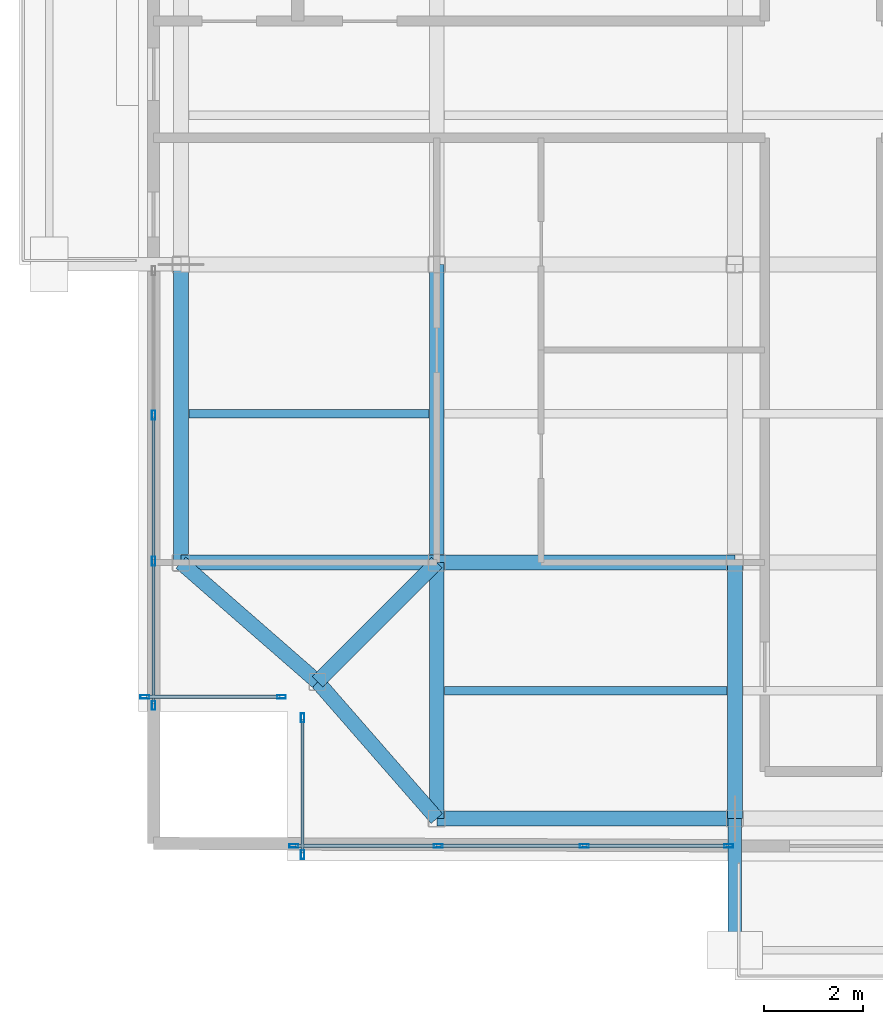
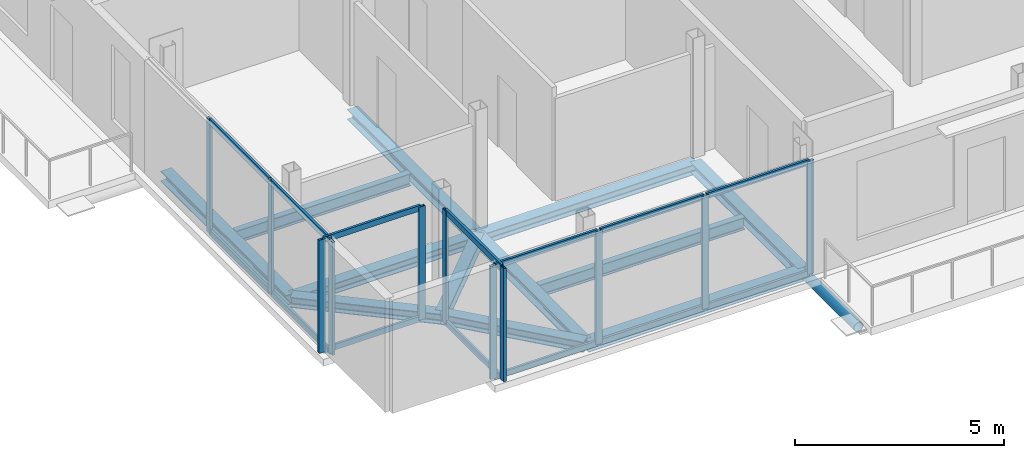
# One storey, part 2 of 19: 26 members, 12 beams, 4 elements without a shape of their own.
"""IFC4 building model written with IfcOpenShell, lengths in metres."""

from ifc_helpers import new_model, si_unit, direction, frame, origin, origin_2d, place, context, subcontext, project, spatial, hollow_rectangle, hollow_circle, i_section, extrude, material, layer, layer_set, material_profile, profile_set, type_object, element, aggregate, save


model = new_model("IFC4")

# Units and contexts
model_context = context("Model", 3, precision=1e-05, world=origin(), true_north=direction((0.0, 1.0)))
body_context = subcontext(model_context, "Body", "Model", "MODEL_VIEW")
ifc_project = project(units=[si_unit("LENGTHUNIT", "METRE"), si_unit("AREAUNIT", "SQUARE_METRE"), si_unit("VOLUMEUNIT", "CUBIC_METRE"), si_unit("PLANEANGLEUNIT", "RADIAN"), si_unit("MASSUNIT", "GRAM", prefix="KILO"), si_unit("THERMODYNAMICTEMPERATUREUNIT", "KELVIN"), si_unit("POWERUNIT", "WATT")], contexts=[model_context])

# Site, building, storey
site_placement = place(None, origin())
site = spatial("IfcSite", under=ifc_project, at=site_placement, CompositionType="ELEMENT")
building_placement = place(site_placement, origin())
building = spatial("IfcBuilding", under=site, at=building_placement, Name="Svarakhadi Broadcast Tower", CompositionType="ELEMENT")
storey_placement = place(building_placement, frame((0.0, 0.0, 239.699951171875)))
storey = spatial("IfcBuildingStorey", under=building, at=storey_placement, Name="L59", CompositionType="ELEMENT", Elevation=239.699951171875)

# Beams
ifc_material_1 = material(Name="Steel S355J2 (IS 2062 E350C)", Category="steel")
ifc_material_profile_1 = material_profile(ifc_material_1, i_section(OverallWidth=0.169921875, OverallDepth=0.360107421875, WebThickness=0.008056640625, FlangeThickness=0.0126953125, FilletRadius=0.01806640625, at=origin_2d()), Name="NPB 360x170x57")
ifc_profile_set_1 = profile_set([ifc_material_profile_1], Name="Steel S355J2 (IS 2062 E350C)")
beam_type_1 = type_object("IfcBeamType", Name="Beam_NPB360", PredefinedType="BEAM", material=ifc_profile_set_1)
beam_1_placement = place(storey_placement, frame((1.010009765625, 9.0, -0.3798828125), z_axis=(1.0, 0.0, 0.0), x_axis=(0.0, 1.0, 0.0)))
element("IfcBeam", 1, at=beam_1_placement, inside=storey, type_object=beam_type_1, Name="L59 Secondary Composite Beam SB001", PredefinedType="BEAM", context=body_context, shape_type="SweptSolid", body=[
    extrude(i_section(OverallWidth=0.169921875, OverallDepth=0.360107421875, WebThickness=0.008056640625, FlangeThickness=0.0126953125, FilletRadius=0.01806640625, at=origin_2d()), origin(), (0.0, 0.0, 1.0), 4.830078125),
])
beam_2_placement = place(storey_placement, frame((6.159912109375, 3.425048828125, -0.3798828125), z_axis=(1.0, 0.0, 0.0), x_axis=(0.0, 1.0, 0.0)))
element("IfcBeam", 2, at=beam_2_placement, inside=storey, type_object=beam_type_1, Name="L59 Secondary Composite Beam SB005", PredefinedType="BEAM", context=body_context, shape_type="SweptSolid", body=[
    extrude(i_section(OverallWidth=0.169921875, OverallDepth=0.360107421875, WebThickness=0.008056640625, FlangeThickness=0.0126953125, FilletRadius=0.01806640625, at=origin_2d()), origin(), (0.0, 0.0, 1.0), 5.68017578125),
])

# Curtain wall, members
ifc_material_2 = material(Name="Anodised Bronze Aluminium AA 6063-T6", Category="aluminium")
ifc_layer = layer(ifc_material_2, 0.179931640625)
ifc_layer_set = layer_set([ifc_layer], Name="Anodised Bronze Aluminium AA 6063-T6")
curtain_wall_type = type_object("IfcCurtainWallType", Name="CW_Sys_05", PredefinedType="NOTDEFINED", material=ifc_layer_set)
curtain_wall_1_placement = place(storey_placement, origin())
curtain_wall_1 = element("IfcCurtainWall", 3, at=curtain_wall_1_placement, inside=storey, type_object=curtain_wall_type, Name="L59 Unitised Facade Curtain Wall 01", PredefinedType="NOTDEFINED")
ifc_material_profile_2 = material_profile(ifc_material_2, hollow_rectangle(XDim=0.070068359375, YDim=0.179931640625, WallThickness=0.005615234375, at=origin_2d()), Name="ALU MULLION 180x70x6")
ifc_profile_set_2 = profile_set([ifc_material_profile_2], Name="Anodised Bronze Aluminium AA 6063-T6")
member_type_1 = type_object("IfcMemberType", Name="CW_Sys_05_Mul", PredefinedType="MULLION", material=ifc_profile_set_2)
member_1_placement = place(storey_placement, frame((2.875, 3.300048828125, 0.0), z_axis=(0.0, 0.0, 1.0), x_axis=(0.0, -1.0, 0.0)))
member_1 = element("IfcMember", 4, at=member_1_placement, type_object=member_type_1, Name="CW-05 mullion 1", PredefinedType="MULLION", context=body_context, shape_type="SweptSolid", body=[
    extrude(hollow_rectangle(XDim=0.070068359375, YDim=0.179931640625, WallThickness=0.005615234375, at=origin_2d()), origin(), (0.0, 0.0, 1.0), 3.300048828125),
])
member_2_placement = place(storey_placement, frame((0.125, 3.300048828125, 0.0), z_axis=(0.0, 0.0, 1.0), x_axis=(0.0, -1.0, 0.0)))
member_2 = element("IfcMember", 5, at=member_2_placement, type_object=member_type_1, Name="CW-05 mullion 2", PredefinedType="MULLION", context=body_context, shape_type="SweptSolid", body=[
    extrude(hollow_rectangle(XDim=0.070068359375, YDim=0.179931640625, WallThickness=0.005615234375, at=origin_2d()), origin(), (0.0, 0.0, 1.0), 3.300048828125),
])

curtain_wall_2_placement = place(storey_placement, origin())
curtain_wall_2 = element("IfcCurtainWall", 6, at=curtain_wall_2_placement, inside=storey, type_object=curtain_wall_type, Name="L59 West Curtain Wall 02", PredefinedType="NOTDEFINED")
member_3_placement = place(storey_placement, frame((0.300048828125, 3.125, 0.0), z_axis=(0.0, 0.0, 1.0), x_axis=(-1.0, 0.0, 0.0)))
member_3 = element("IfcMember", 7, at=member_3_placement, type_object=member_type_1, Name="CW-05 mullion 1", PredefinedType="MULLION", context=body_context, shape_type="SweptSolid", body=[
    extrude(hollow_rectangle(XDim=0.070068359375, YDim=0.179931640625, WallThickness=0.005615234375, at=origin_2d()), origin(), (0.0, 0.0, 1.0), 3.300048828125),
])
member_4_placement = place(storey_placement, frame((0.300048828125, 6.030029296875, 0.0), z_axis=(0.0, 0.0, 1.0), x_axis=(-1.0, 0.0, 0.0)))
member_4 = element("IfcMember", 8, at=member_4_placement, type_object=member_type_1, Name="CW-05 mullion 2", PredefinedType="MULLION", context=body_context, shape_type="SweptSolid", body=[
    extrude(hollow_rectangle(XDim=0.070068359375, YDim=0.179931640625, WallThickness=0.005615234375, at=origin_2d()), origin(), (0.0, 0.0, 1.0), 3.300048828125),
])
member_5_placement = place(storey_placement, frame((0.300048828125, 8.969970703125, 0.0), z_axis=(0.0, 0.0, 1.0), x_axis=(-1.0, 0.0, 0.0)))
member_5 = element("IfcMember", 9, at=member_5_placement, type_object=member_type_1, Name="CW-05 mullion 3", PredefinedType="MULLION", context=body_context, shape_type="SweptSolid", body=[
    extrude(hollow_rectangle(XDim=0.070068359375, YDim=0.179931640625, WallThickness=0.005615234375, at=origin_2d()), origin(), (0.0, 0.0, 1.0), 3.300048828125),
])

curtain_wall_3_placement = place(storey_placement, origin())
curtain_wall_3 = element("IfcCurtainWall", 10, at=curtain_wall_3_placement, inside=storey, type_object=curtain_wall_type, Name="L59 South Curtain Wall 15", PredefinedType="NOTDEFINED")
member_6_placement = place(storey_placement, frame((11.875, 0.300048828125, 0.0), z_axis=(0.0, 0.0, 1.0), x_axis=(0.0, -1.0, 0.0)))
member_6 = element("IfcMember", 11, at=member_6_placement, type_object=member_type_1, Name="CW-05 mullion 1", PredefinedType="MULLION", context=body_context, shape_type="SweptSolid", body=[
    extrude(hollow_rectangle(XDim=0.070068359375, YDim=0.179931640625, WallThickness=0.005615234375, at=origin_2d()), origin(), (0.0, 0.0, 1.0), 3.300048828125),
])
member_7_placement = place(storey_placement, frame((8.969970703125, 0.300048828125, 0.0), z_axis=(0.0, 0.0, 1.0), x_axis=(0.0, -1.0, 0.0)))
member_7 = element("IfcMember", 12, at=member_7_placement, type_object=member_type_1, Name="CW-05 mullion 2", PredefinedType="MULLION", context=body_context, shape_type="SweptSolid", body=[
    extrude(hollow_rectangle(XDim=0.070068359375, YDim=0.179931640625, WallThickness=0.005615234375, at=origin_2d()), origin(), (0.0, 0.0, 1.0), 3.300048828125),
])
member_8_placement = place(storey_placement, frame((6.030029296875, 0.300048828125, 0.0), z_axis=(0.0, 0.0, 1.0), x_axis=(0.0, -1.0, 0.0)))
member_8 = element("IfcMember", 13, at=member_8_placement, type_object=member_type_1, Name="CW-05 mullion 3", PredefinedType="MULLION", context=body_context, shape_type="SweptSolid", body=[
    extrude(hollow_rectangle(XDim=0.070068359375, YDim=0.179931640625, WallThickness=0.005615234375, at=origin_2d()), origin(), (0.0, 0.0, 1.0), 3.300048828125),
])
member_9_placement = place(storey_placement, frame((3.125, 0.300048828125, 0.0), z_axis=(0.0, 0.0, 1.0), x_axis=(0.0, -1.0, 0.0)))
member_9 = element("IfcMember", 14, at=member_9_placement, type_object=member_type_1, Name="CW-05 mullion 4", PredefinedType="MULLION", context=body_context, shape_type="SweptSolid", body=[
    extrude(hollow_rectangle(XDim=0.070068359375, YDim=0.179931640625, WallThickness=0.005615234375, at=origin_2d()), origin(), (0.0, 0.0, 1.0), 3.300048828125),
])

curtain_wall_4_placement = place(storey_placement, origin())
curtain_wall_4 = element("IfcCurtainWall", 15, at=curtain_wall_4_placement, inside=storey, type_object=curtain_wall_type, Name="L59 Unitised Facade Curtain Wall 16", PredefinedType="NOTDEFINED")
member_10_placement = place(storey_placement, frame((3.300048828125, 0.125, 0.0), z_axis=(0.0, 0.0, 1.0), x_axis=(-1.0, 0.0, 0.0)))
member_10 = element("IfcMember", 16, at=member_10_placement, type_object=member_type_1, Name="CW-05 mullion 1", PredefinedType="MULLION", context=body_context, shape_type="SweptSolid", body=[
    extrude(hollow_rectangle(XDim=0.070068359375, YDim=0.179931640625, WallThickness=0.005615234375, at=origin_2d()), origin(), (0.0, 0.0, 1.0), 3.300048828125),
])
member_11_placement = place(storey_placement, frame((3.300048828125, 2.875, 0.0), z_axis=(0.0, 0.0, 1.0), x_axis=(-1.0, 0.0, 0.0)))
member_11 = element("IfcMember", 17, at=member_11_placement, type_object=member_type_1, Name="CW-05 mullion 2", PredefinedType="MULLION", context=body_context, shape_type="SweptSolid", body=[
    extrude(hollow_rectangle(XDim=0.070068359375, YDim=0.179931640625, WallThickness=0.005615234375, at=origin_2d()), origin(), (0.0, 0.0, 1.0), 3.300048828125),
])

# Member
ifc_material_profile_3 = material_profile(ifc_material_2, hollow_rectangle(XDim=0.06494140625, YDim=0.1650390625, WallThickness=0.0048828125, at=origin_2d()), Name="ALU TRANSOM 165x65x5")
ifc_profile_set_3 = profile_set([ifc_material_profile_3], Name="Anodised Bronze Aluminium AA 6063-T6")
member_type_2 = type_object("IfcMemberType", Name="CW_Sys_05_Trn", PredefinedType="USERDEFINED", material=ifc_profile_set_3)
member_12_placement = place(storey_placement, frame((2.840087890625, 3.300048828125, 0.032470703125), z_axis=(-1.0, 0.0, 0.0), x_axis=(0.0, -1.0, 0.0)))
member_12 = element("IfcMember", 18, at=member_12_placement, type_object=member_type_2, Name="CW-05 transom 1.1", ObjectType="TRANSOM", PredefinedType="USERDEFINED", context=body_context, shape_type="SweptSolid", body=[
    extrude(hollow_rectangle(XDim=0.06494140625, YDim=0.1650390625, WallThickness=0.0048828125, at=origin_2d()), origin(), (0.0, 0.0, 1.0), 2.68017578125),
])

member_13_placement = place(storey_placement, frame((2.840087890625, 3.300048828125, 3.267578125), z_axis=(-1.0, 0.0, 0.0), x_axis=(0.0, -1.0, 0.0)))
member_13 = element("IfcMember", 19, at=member_13_placement, type_object=member_type_2, Name="CW-05 transom 1.2", ObjectType="TRANSOM", PredefinedType="USERDEFINED", context=body_context, shape_type="SweptSolid", body=[
    extrude(hollow_rectangle(XDim=0.06494140625, YDim=0.1650390625, WallThickness=0.0048828125, at=origin_2d()), origin(), (0.0, 0.0, 1.0), 2.68017578125),
])

aggregate(curtain_wall_1, [member_1, member_2, member_12, member_13])

member_14_placement = place(storey_placement, frame((0.300048828125, 3.159912109375, 0.032470703125), z_axis=(0.0, 1.0, 0.0), x_axis=(-1.0, 0.0, 0.0)))
member_14 = element("IfcMember", 20, at=member_14_placement, type_object=member_type_2, Name="CW-05 transom 1.1", ObjectType="TRANSOM", PredefinedType="USERDEFINED", context=body_context, shape_type="SweptSolid", body=[
    extrude(hollow_rectangle(XDim=0.06494140625, YDim=0.1650390625, WallThickness=0.0048828125, at=origin_2d()), origin(), (0.0, 0.0, 1.0), 2.835205078125),
])

member_15_placement = place(storey_placement, frame((0.300048828125, 3.159912109375, 3.267578125), z_axis=(0.0, 1.0, 0.0), x_axis=(-1.0, 0.0, 0.0)))
member_15 = element("IfcMember", 21, at=member_15_placement, type_object=member_type_2, Name="CW-05 transom 1.2", ObjectType="TRANSOM", PredefinedType="USERDEFINED", context=body_context, shape_type="SweptSolid", body=[
    extrude(hollow_rectangle(XDim=0.06494140625, YDim=0.1650390625, WallThickness=0.0048828125, at=origin_2d()), origin(), (0.0, 0.0, 1.0), 2.835205078125),
])

member_16_placement = place(storey_placement, frame((0.300048828125, 6.06494140625, 0.032470703125), z_axis=(0.0, 1.0, 0.0), x_axis=(-1.0, 0.0, 0.0)))
member_16 = element("IfcMember", 22, at=member_16_placement, type_object=member_type_2, Name="CW-05 transom 2.1", ObjectType="TRANSOM", PredefinedType="USERDEFINED", context=body_context, shape_type="SweptSolid", body=[
    extrude(hollow_rectangle(XDim=0.06494140625, YDim=0.1650390625, WallThickness=0.0048828125, at=origin_2d()), origin(), (0.0, 0.0, 1.0), 2.8701171875),
])

member_17_placement = place(storey_placement, frame((0.300048828125, 6.06494140625, 3.267578125), z_axis=(0.0, 1.0, 0.0), x_axis=(-1.0, 0.0, 0.0)))
member_17 = element("IfcMember", 23, at=member_17_placement, type_object=member_type_2, Name="CW-05 transom 2.2", ObjectType="TRANSOM", PredefinedType="USERDEFINED", context=body_context, shape_type="SweptSolid", body=[
    extrude(hollow_rectangle(XDim=0.06494140625, YDim=0.1650390625, WallThickness=0.0048828125, at=origin_2d()), origin(), (0.0, 0.0, 1.0), 2.8701171875),
])

aggregate(curtain_wall_2, [member_3, member_4, member_5, member_14, member_15, member_16, member_17])

member_18_placement = place(storey_placement, frame((11.840087890625, 0.300048828125, 0.032470703125), z_axis=(-1.0, 0.0, 0.0), x_axis=(0.0, -1.0, 0.0)))
member_18 = element("IfcMember", 24, at=member_18_placement, type_object=member_type_2, Name="CW-05 transom 1.1", ObjectType="TRANSOM", PredefinedType="USERDEFINED", context=body_context, shape_type="SweptSolid", body=[
    extrude(hollow_rectangle(XDim=0.06494140625, YDim=0.1650390625, WallThickness=0.0048828125, at=origin_2d()), origin(), (0.0, 0.0, 1.0), 2.835205078125),
])

member_19_placement = place(storey_placement, frame((11.840087890625, 0.300048828125, 3.267578125), z_axis=(-1.0, 0.0, 0.0), x_axis=(0.0, -1.0, 0.0)))
member_19 = element("IfcMember", 25, at=member_19_placement, type_object=member_type_2, Name="CW-05 transom 1.2", ObjectType="TRANSOM", PredefinedType="USERDEFINED", context=body_context, shape_type="SweptSolid", body=[
    extrude(hollow_rectangle(XDim=0.06494140625, YDim=0.1650390625, WallThickness=0.0048828125, at=origin_2d()), origin(), (0.0, 0.0, 1.0), 2.835205078125),
])

member_20_placement = place(storey_placement, frame((8.93505859375, 0.300048828125, 0.032470703125), z_axis=(-1.0, 0.0, 0.0), x_axis=(0.0, -1.0, 0.0)))
member_20 = element("IfcMember", 26, at=member_20_placement, type_object=member_type_2, Name="CW-05 transom 2.1", ObjectType="TRANSOM", PredefinedType="USERDEFINED", context=body_context, shape_type="SweptSolid", body=[
    extrude(hollow_rectangle(XDim=0.06494140625, YDim=0.1650390625, WallThickness=0.0048828125, at=origin_2d()), origin(), (0.0, 0.0, 1.0), 2.8701171875),
])

member_21_placement = place(storey_placement, frame((8.93505859375, 0.300048828125, 3.267578125), z_axis=(-1.0, 0.0, 0.0), x_axis=(0.0, -1.0, 0.0)))
member_21 = element("IfcMember", 27, at=member_21_placement, type_object=member_type_2, Name="CW-05 transom 2.2", ObjectType="TRANSOM", PredefinedType="USERDEFINED", context=body_context, shape_type="SweptSolid", body=[
    extrude(hollow_rectangle(XDim=0.06494140625, YDim=0.1650390625, WallThickness=0.0048828125, at=origin_2d()), origin(), (0.0, 0.0, 1.0), 2.8701171875),
])

member_22_placement = place(storey_placement, frame((5.9951171875, 0.300048828125, 0.032470703125), z_axis=(-1.0, 0.0, 0.0), x_axis=(0.0, -1.0, 0.0)))
member_22 = element("IfcMember", 28, at=member_22_placement, type_object=member_type_2, Name="CW-05 transom 3.1", ObjectType="TRANSOM", PredefinedType="USERDEFINED", context=body_context, shape_type="SweptSolid", body=[
    extrude(hollow_rectangle(XDim=0.06494140625, YDim=0.1650390625, WallThickness=0.0048828125, at=origin_2d()), origin(), (0.0, 0.0, 1.0), 2.835205078125),
])

member_23_placement = place(storey_placement, frame((5.9951171875, 0.300048828125, 3.267578125), z_axis=(-1.0, 0.0, 0.0), x_axis=(0.0, -1.0, 0.0)))
member_23 = element("IfcMember", 29, at=member_23_placement, type_object=member_type_2, Name="CW-05 transom 3.2", ObjectType="TRANSOM", PredefinedType="USERDEFINED", context=body_context, shape_type="SweptSolid", body=[
    extrude(hollow_rectangle(XDim=0.06494140625, YDim=0.1650390625, WallThickness=0.0048828125, at=origin_2d()), origin(), (0.0, 0.0, 1.0), 2.835205078125),
])

aggregate(curtain_wall_3, [member_6, member_7, member_8, member_9, member_18, member_19, member_20, member_21, member_22, member_23])

member_24_placement = place(storey_placement, frame((3.300048828125, 0.159912109375, 0.032470703125), z_axis=(0.0, 1.0, 0.0), x_axis=(-1.0, 0.0, 0.0)))
member_24 = element("IfcMember", 30, at=member_24_placement, type_object=member_type_2, Name="CW-05 transom 1.1", ObjectType="TRANSOM", PredefinedType="USERDEFINED", context=body_context, shape_type="SweptSolid", body=[
    extrude(hollow_rectangle(XDim=0.06494140625, YDim=0.1650390625, WallThickness=0.0048828125, at=origin_2d()), origin(), (0.0, 0.0, 1.0), 2.68017578125),
])

member_25_placement = place(storey_placement, frame((3.300048828125, 0.159912109375, 3.267578125), z_axis=(0.0, 1.0, 0.0), x_axis=(-1.0, 0.0, 0.0)))
member_25 = element("IfcMember", 31, at=member_25_placement, type_object=member_type_2, Name="CW-05 transom 1.2", ObjectType="TRANSOM", PredefinedType="USERDEFINED", context=body_context, shape_type="SweptSolid", body=[
    extrude(hollow_rectangle(XDim=0.06494140625, YDim=0.1650390625, WallThickness=0.0048828125, at=origin_2d()), origin(), (0.0, 0.0, 1.0), 2.68017578125),
])

aggregate(curtain_wall_4, [member_10, member_11, member_24, member_25])

ifc_material_3 = material(Name="Steel S460ML (IS 2062 E450BR)", Category="steel")
ifc_material_profile_4 = material_profile(ifc_material_3, hollow_circle(Radius=0.136474609375, WallThickness=0.012451171875, at=origin_2d()), Name="CHS 273x12.5")
ifc_profile_set_4 = profile_set([ifc_material_profile_4], Name="Steel S460ML (IS 2062 E450BR)")
member_type_3 = type_object("IfcMemberType", Name="Exo_Radial_Strut_Z3", PredefinedType="STRUT", material=ifc_profile_set_4)
member_26_placement = place(storey_placement, frame((12.0, -1.800048828125, -0.33642578125), z_axis=(0.0, 1.0, 0.0), x_axis=(-1.0, 0.0, 0.0)))
element("IfcMember", 32, at=member_26_placement, inside=storey, type_object=member_type_3, Name="L59 Exoskeleton Radial Tie Strut S01", PredefinedType="STRUT", context=body_context, shape_type="SweptSolid", body=[
    extrude(hollow_circle(Radius=0.136474609375, WallThickness=0.012451171875, at=origin_2d()), origin(), (0.0, 0.0, 1.0), 2.650146484375),
])

# Beams
ifc_material_profile_5 = material_profile(ifc_material_1, i_section(OverallWidth=0.300048828125, OverallDepth=0.300048828125, WebThickness=0.010986328125, FlangeThickness=0.01904296875, FilletRadius=0.027099609375, at=origin_2d()), Name="WPB 300x300x117")
ifc_profile_set_5 = profile_set([ifc_material_profile_5], Name="Steel S355J2 (IS 2062 E350C)")
beam_type_2 = type_object("IfcBeamType", Name="Girder_WPB300", PredefinedType="USERDEFINED", material=ifc_profile_set_5)
beam_3_placement = place(storey_placement, frame((3.60009765625, 3.60009765625, -0.349853515625), z_axis=(0.707106781187, 0.707106781187, 0.0), x_axis=(-0.707106781187, 0.707106781187, 0.0)))
element("IfcBeam", 33, at=beam_3_placement, inside=storey, type_object=beam_type_2, Name="L59 Corner Tie Girder G001", ObjectType="GIRDER", PredefinedType="USERDEFINED", context=body_context, shape_type="SweptSolid", body=[
    extrude(i_section(OverallWidth=0.300048828125, OverallDepth=0.300048828125, WebThickness=0.010986328125, FlangeThickness=0.01904296875, FilletRadius=0.027099609375, at=origin_2d()), origin(), (0.0, 0.0, 1.0), 3.39404296875),
])
for number, where, z_axis, x_axis, name in (
    (34, (3.60009765625, 3.60009765625, -0.349853515625), (-0.753437912176, 0.657519058655, 0.0), (-0.657519058655, -0.753437912176, 0.0), "L59 Corner Tie Girder G002"),
    (35, (3.60009765625, 3.60009765625, -0.349853515625), (0.657519058655, -0.753437912176, 0.0), (0.753437912176, 0.657519058655, 0.0), "L59 Corner Tie Girder G003"),
):
    element("IfcBeam", number, at=place(storey_placement, frame(where, z_axis=z_axis, x_axis=x_axis)), inside=storey, type_object=beam_type_2, Name=name, ObjectType="GIRDER", PredefinedType="USERDEFINED", context=body_context, shape_type="SweptSolid", body=[
        extrude(i_section(OverallWidth=0.300048828125, OverallDepth=0.300048828125, WebThickness=0.010986328125, FlangeThickness=0.01904296875, FilletRadius=0.027099609375, at=origin_2d()), origin(), (0.0, 0.0, 1.0), 3.64990234375),
    ])
beam_4_placement = place(storey_placement, frame((6.0, 0.85009765625, -0.349853515625), z_axis=(1.0, 0.0, 0.0), x_axis=(0.0, 1.0, 0.0)))
element("IfcBeam", 36, at=beam_4_placement, inside=storey, type_object=beam_type_2, Name="L59 Primary E-W Girder G004", ObjectType="GIRDER", PredefinedType="USERDEFINED", context=body_context, shape_type="SweptSolid", body=[
    extrude(i_section(OverallWidth=0.300048828125, OverallDepth=0.300048828125, WebThickness=0.010986328125, FlangeThickness=0.01904296875, FilletRadius=0.027099609375, at=origin_2d()), origin(), (0.0, 0.0, 1.0), 6.0),
])
beam_5_placement = place(storey_placement, frame((0.85009765625, 6.0, -0.349853515625), z_axis=(1.0, 0.0, 0.0), x_axis=(0.0, 1.0, 0.0)))
element("IfcBeam", 37, at=beam_5_placement, inside=storey, type_object=beam_type_2, Name="L59 Primary E-W Girder G009", ObjectType="GIRDER", PredefinedType="USERDEFINED", context=body_context, shape_type="SweptSolid", body=[
    extrude(i_section(OverallWidth=0.300048828125, OverallDepth=0.300048828125, WebThickness=0.010986328125, FlangeThickness=0.01904296875, FilletRadius=0.027099609375, at=origin_2d()), origin(), (0.0, 0.0, 1.0), 5.14990234375),
])
for number, where, z_axis, x_axis, name in (
    (38, (6.0, 6.0, -0.349853515625), (1.0, 0.0, 0.0), (0.0, 1.0, 0.0), "L59 Primary E-W Girder G010"),
    (39, (0.85009765625, 6.0, -0.349853515625), (0.0, 1.0, 0.0), (-1.0, 0.0, 0.0), "L59 Primary N-S Girder G028"),
):
    element("IfcBeam", number, at=place(storey_placement, frame(where, z_axis=z_axis, x_axis=x_axis)), inside=storey, type_object=beam_type_2, Name=name, ObjectType="GIRDER", PredefinedType="USERDEFINED", context=body_context, shape_type="SweptSolid", body=[
        extrude(i_section(OverallWidth=0.300048828125, OverallDepth=0.300048828125, WebThickness=0.010986328125, FlangeThickness=0.01904296875, FilletRadius=0.027099609375, at=origin_2d()), origin(), (0.0, 0.0, 1.0), 6.0),
    ])
beam_6_placement = place(storey_placement, frame((6.0, 0.85009765625, -0.349853515625), z_axis=(0.0, 1.0, 0.0), x_axis=(-1.0, 0.0, 0.0)))
element("IfcBeam", 40, at=beam_6_placement, inside=storey, type_object=beam_type_2, Name="L59 Primary N-S Girder G032", ObjectType="GIRDER", PredefinedType="USERDEFINED", context=body_context, shape_type="SweptSolid", body=[
    extrude(i_section(OverallWidth=0.300048828125, OverallDepth=0.300048828125, WebThickness=0.010986328125, FlangeThickness=0.01904296875, FilletRadius=0.027099609375, at=origin_2d()), origin(), (0.0, 0.0, 1.0), 5.14990234375),
])
beam_7_placement = place(storey_placement, frame((6.0, 6.0, -0.349853515625), z_axis=(0.0, 1.0, 0.0), x_axis=(-1.0, 0.0, 0.0)))
element("IfcBeam", 41, at=beam_7_placement, inside=storey, type_object=beam_type_2, Name="L59 Primary N-S Girder G033", ObjectType="GIRDER", PredefinedType="USERDEFINED", context=body_context, shape_type="SweptSolid", body=[
    extrude(i_section(OverallWidth=0.300048828125, OverallDepth=0.300048828125, WebThickness=0.010986328125, FlangeThickness=0.01904296875, FilletRadius=0.027099609375, at=origin_2d()), origin(), (0.0, 0.0, 1.0), 6.0),
])
beam_8_placement = place(storey_placement, frame((12.0, 0.85009765625, -0.349853515625), z_axis=(0.0, 1.0, 0.0), x_axis=(-1.0, 0.0, 0.0)))
element("IfcBeam", 42, at=beam_8_placement, inside=storey, type_object=beam_type_2, Name="L59 Primary N-S Girder G036", ObjectType="GIRDER", PredefinedType="USERDEFINED", context=body_context, shape_type="SweptSolid", body=[
    extrude(i_section(OverallWidth=0.300048828125, OverallDepth=0.300048828125, WebThickness=0.010986328125, FlangeThickness=0.01904296875, FilletRadius=0.027099609375, at=origin_2d()), origin(), (0.0, 0.0, 1.0), 5.14990234375),
])

save(model, "model.ifc")
